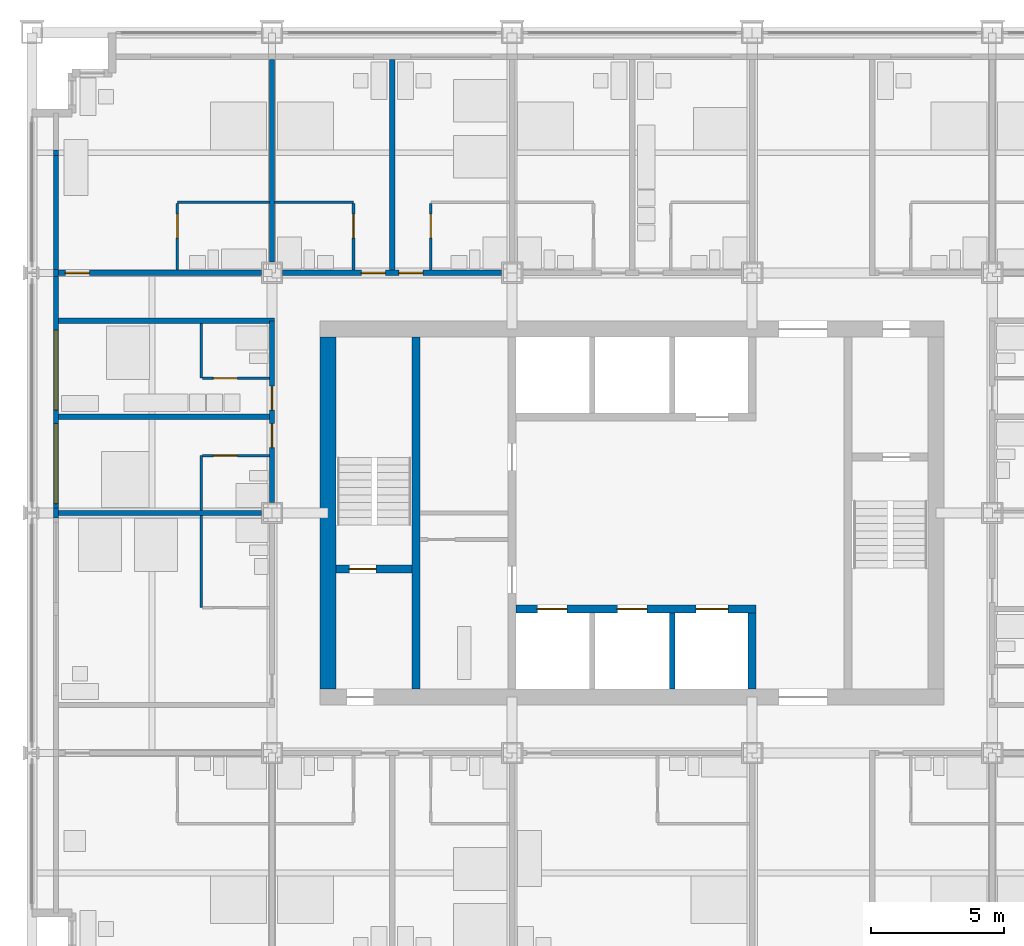
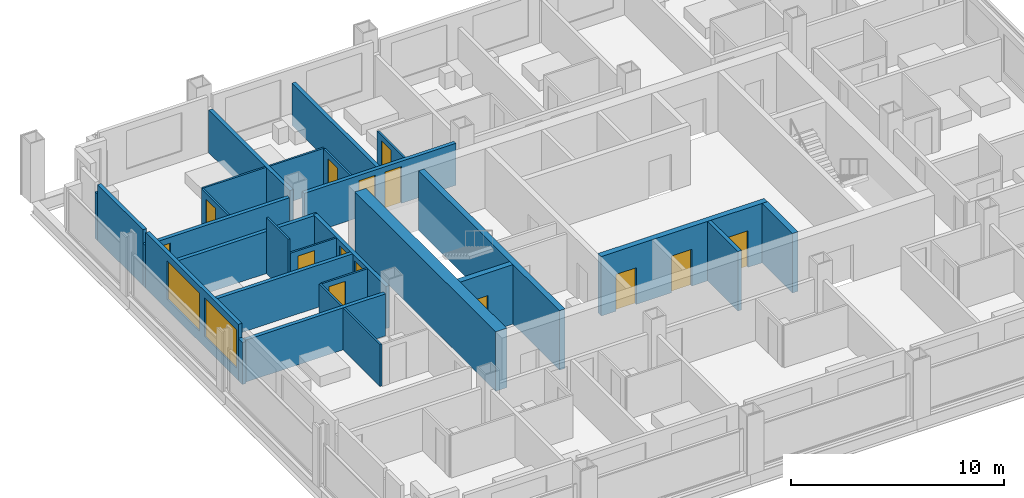
# One storey, part 10 of 17: 29 walls, 14 doors, 2 windows, 16 openings.
"""IFC4 building model written with IfcOpenShell, lengths in metres."""

from ifc_helpers import new_model, si_unit, direction, frame, frame_2d, origin, place, context, subcontext, project, spatial, rectangle, extrude, material, layer, layer_set, type_object, element, fill, save


model = new_model("IFC4")

# Units and contexts
model_context = context("Model", 3, precision=1e-05, world=origin(), true_north=direction((0.0, 1.0)))
body_context = subcontext(model_context, "Body", "Model", "MODEL_VIEW")
ifc_project = project(units=[si_unit("LENGTHUNIT", "METRE"), si_unit("AREAUNIT", "SQUARE_METRE"), si_unit("VOLUMEUNIT", "CUBIC_METRE"), si_unit("PLANEANGLEUNIT", "RADIAN"), si_unit("MASSUNIT", "GRAM", prefix="KILO")], contexts=[model_context])

# Site, building, storey
site_placement = place(None, origin())
site = spatial("IfcSite", under=ifc_project, at=site_placement, CompositionType="ELEMENT")
building_placement = place(site_placement, origin())
building = spatial("IfcBuilding", under=site, at=building_placement, Name="Loomwork Tower", CompositionType="ELEMENT")
storey_placement = place(building_placement, frame((0.0, 0.0, 138.39990234375)))
storey = spatial("IfcBuildingStorey", under=building, at=storey_placement, Name="L37", CompositionType="ELEMENT", Elevation=138.39990234375)

# Wall
ifc_material_1 = material(Name="Concrete 14000 psi (97 MPa)", Category="concrete")
ifc_layer_1 = layer(ifc_material_1, 0.300048828125)
ifc_layer_set_1 = layer_set([ifc_layer_1], Name="Core shear wall 300")
wall_type_1 = type_object("IfcWallType", Name="Core shear wall 300", PredefinedType="SHEAR", material=ifc_layer_set_1)
wall_1_placement = place(storey_placement, frame((14.39990234375, 11.39990234375, 0.0), z_axis=(0.0, 0.0, 1.0), x_axis=(0.0, 1.0, 0.0)))
element("IfcWall", 1, at=wall_1_placement, inside=storey, type_object=wall_type_1, Name="Stair A east wall L37", PredefinedType="SHEAR", context=body_context, shape_type="SweptSolid", body=[
    extrude(rectangle(XDim=13.2001953125, YDim=0.300048828125, at=frame_2d((6.60009765625, 0.0))), origin(), (0.0, 0.0, 1.0), 3.400146484375),
])

# Wall, opening, door
wall_2_placement = place(storey_placement, frame((11.39990234375, 15.89990234375, 0.0), z_axis=(0.0, 0.0, 1.0), x_axis=(1.0, 0.0, 0.0)))
wall_2 = element("IfcWall", 2, at=wall_2_placement, inside=storey, type_object=wall_type_1, Name="Stair A south wall L37", PredefinedType="SHEAR", context=body_context, shape_type="SweptSolid", body=[
    extrude(rectangle(XDim=2.85009765625, YDim=0.300048828125, at=frame_2d((1.425048828125, 0.0))), origin(), (0.0, 0.0, 1.0), 3.400146484375),
])
opening_1_placement = place(wall_2_placement, frame((0.5, 0.0, 0.0)))
opening_1 = element("IfcOpeningElement", 3, at=opening_1_placement, cuts=wall_2, Name="Opening D4", PredefinedType="OPENING", context=body_context, shape_type="SweptSolid", body=[
    extrude(rectangle(XDim=1.0, YDim=2.10009765625, at=frame_2d((0.5, 1.050048828125))), frame((0.0, 0.159912109375, 0.0), z_axis=(0.0, -1.0, 0.0), x_axis=(1.0, 0.0, 0.0)), (0.0, 0.0, 1.0), 0.320068359375),
])
ifc_material_2 = material(Name="Hollow metal door and frame")
door_type_1 = type_object("IfcDoorType", Name="Stair door 1000", OperationType="SINGLE_SWING_RIGHT", PredefinedType="DOOR", material=ifc_material_2)
door_1_placement = place(opening_1_placement, origin())
door_1 = element("IfcDoor", 4, at=door_1_placement, inside=storey, type_object=door_type_1, Name="Stair A door", OperationType="SINGLE_SWING_LEFT", OverallHeight=2.10009765625, OverallWidth=1.0, PredefinedType="DOOR", context=body_context, shape_type="SweptSolid", body=[
    extrude(rectangle(XDim=1.0, YDim=2.10009765625, at=frame_2d((0.5, 1.050048828125))), frame((0.0, 0.02490234375, 0.0), z_axis=(0.0, -1.0, 0.0), x_axis=(1.0, 0.0, 0.0)), (0.0, 0.0, 1.0), 0.050048828125),
])
fill(opening_1, door_1)

# Wall, openings, doors
wall_3_placement = place(storey_placement, frame((18.14990234375, 14.39990234375, 0.0), z_axis=(0.0, 0.0, 1.0), x_axis=(1.0, 0.0, 0.0)))
wall_3 = element("IfcWall", 5, at=wall_3_placement, inside=storey, type_object=wall_type_1, Name="Lift front wall south L37", PredefinedType="SHEAR", context=body_context, shape_type="SweptSolid", body=[
    extrude(rectangle(XDim=9.0, YDim=0.300048828125, at=frame_2d((4.5, 0.0))), origin(), (0.0, 0.0, 1.0), 3.400146484375),
])
opening_2_placement = place(wall_3_placement, frame((0.800048828125, 0.0, 0.0)))
opening_2 = element("IfcOpeningElement", 6, at=opening_2_placement, cuts=wall_3, Name="Opening LD1", PredefinedType="OPENING", context=body_context, shape_type="SweptSolid", body=[
    extrude(rectangle(XDim=1.10009765625, YDim=2.10009765625, at=frame_2d((0.550048828125, 1.050048828125))), frame((0.0, 0.159912109375, 0.0), z_axis=(0.0, -1.0, 0.0), x_axis=(1.0, 0.0, 0.0)), (0.0, 0.0, 1.0), 0.320068359375),
])
opening_3_placement = place(wall_3_placement, frame((3.800048828125, 0.0, 0.0)))
opening_3 = element("IfcOpeningElement", 7, at=opening_3_placement, cuts=wall_3, Name="Opening LD1", PredefinedType="OPENING", context=body_context, shape_type="SweptSolid", body=[
    extrude(rectangle(XDim=1.10009765625, YDim=2.10009765625, at=frame_2d((0.550048828125, 1.050048828125))), frame((0.0, 0.159912109375, 0.0), z_axis=(0.0, -1.0, 0.0), x_axis=(1.0, 0.0, 0.0)), (0.0, 0.0, 1.0), 0.320068359375),
])
opening_4_placement = place(wall_3_placement, frame((6.75, 0.0, 0.0)))
opening_4 = element("IfcOpeningElement", 8, at=opening_4_placement, cuts=wall_3, Name="Opening LD2", PredefinedType="OPENING", context=body_context, shape_type="SweptSolid", body=[
    extrude(rectangle(XDim=1.199951171875, YDim=2.10009765625, at=frame_2d((0.60009765625, 1.050048828125))), frame((0.0, 0.159912109375, 0.0), z_axis=(0.0, -1.0, 0.0), x_axis=(1.0, 0.0, 0.0)), (0.0, 0.0, 1.0), 0.320068359375),
])
ifc_material_3 = material(Name="Hollow metal door and frame")
door_type_2 = type_object("IfcDoorType", Name="Lift landing door 1100", OperationType="SLIDING_TO_LEFT", PredefinedType="DOOR", material=ifc_material_3)
door_2_placement = place(opening_2_placement, origin())
door_2 = element("IfcDoor", 9, at=door_2_placement, inside=storey, type_object=door_type_2, Name="Lift landing door LB1", OperationType="SLIDING_TO_LEFT", OverallHeight=2.10009765625, OverallWidth=1.10009765625, PredefinedType="DOOR", context=body_context, shape_type="SweptSolid", body=[
    extrude(rectangle(XDim=1.10009765625, YDim=2.10009765625, at=frame_2d((0.550048828125, 1.050048828125))), frame((0.0, 0.02490234375, 0.0), z_axis=(0.0, -1.0, 0.0), x_axis=(1.0, 0.0, 0.0)), (0.0, 0.0, 1.0), 0.050048828125),
])
fill(opening_2, door_2)
door_3_placement = place(opening_3_placement, origin())
door_3 = element("IfcDoor", 10, at=door_3_placement, inside=storey, type_object=door_type_2, Name="Lift landing door LB2", OperationType="SLIDING_TO_LEFT", OverallHeight=2.10009765625, OverallWidth=1.10009765625, PredefinedType="DOOR", context=body_context, shape_type="SweptSolid", body=[
    extrude(rectangle(XDim=1.10009765625, YDim=2.10009765625, at=frame_2d((0.550048828125, 1.050048828125))), frame((0.0, 0.02490234375, 0.0), z_axis=(0.0, -1.0, 0.0), x_axis=(1.0, 0.0, 0.0)), (0.0, 0.0, 1.0), 0.050048828125),
])
fill(opening_3, door_3)
ifc_material_4 = material(Name="Hollow metal door and frame")
door_type_3 = type_object("IfcDoorType", Name="Lift landing door 1200", OperationType="SLIDING_TO_LEFT", PredefinedType="DOOR", material=ifc_material_4)
door_4_placement = place(opening_4_placement, origin())
door_4 = element("IfcDoor", 11, at=door_4_placement, inside=storey, type_object=door_type_3, Name="Lift landing door LF1", OperationType="SLIDING_TO_LEFT", OverallHeight=2.10009765625, OverallWidth=1.199951171875, PredefinedType="DOOR", context=body_context, shape_type="SweptSolid", body=[
    extrude(rectangle(XDim=1.199951171875, YDim=2.10009765625, at=frame_2d((0.60009765625, 1.050048828125))), frame((0.0, 0.02490234375, 0.0), z_axis=(0.0, -1.0, 0.0), x_axis=(1.0, 0.0, 0.0)), (0.0, 0.0, 1.0), 0.050048828125),
])
fill(opening_4, door_4)

# Walls
wall_4_placement = place(storey_placement, frame((27.0, 11.39990234375, 0.0), z_axis=(0.0, 0.0, 1.0), x_axis=(0.0, 1.0, 0.0)))
element("IfcWall", 12, at=wall_4_placement, inside=storey, type_object=wall_type_1, Name="Lift shaft end wall south L37", PredefinedType="SHEAR", context=body_context, shape_type="SweptSolid", body=[
    extrude(rectangle(XDim=2.85009765625, YDim=0.300048828125, at=frame_2d((1.425048828125, 0.0))), origin(), (0.0, 0.0, 1.0), 3.400146484375),
])
ifc_material_5 = material(Name="Concrete 14000 psi (97 MPa)", Category="concrete")
ifc_layer_2 = layer(ifc_material_5, 0.60009765625)
ifc_layer_set_2 = layer_set([ifc_layer_2], Name="Core shear wall 600")
wall_type_2 = type_object("IfcWallType", Name="Core shear wall 600", PredefinedType="SHEAR", material=ifc_layer_set_2)
wall_5_placement = place(storey_placement, frame((11.10009765625, 11.39990234375, 0.0), z_axis=(0.0, 0.0, 1.0), x_axis=(0.0, 1.0, 0.0)))
element("IfcWall", 13, at=wall_5_placement, inside=storey, type_object=wall_type_2, Name="Core wall west L37", PredefinedType="SHEAR", context=body_context, shape_type="SweptSolid", body=[
    extrude(rectangle(XDim=13.2001953125, YDim=0.60009765625, at=frame_2d((6.60009765625, 0.0))), origin(), (0.0, 0.0, 1.0), 3.400146484375),
])

# Wall, opening, door
ifc_material_6 = material(Name="Gypsum board on steel studs, one-hour", Category="steel")
ifc_layer_3 = layer(ifc_material_6, 0.199951171875)
ifc_layer_set_3 = layer_set([ifc_layer_3], Name="Corridor wall 200")
wall_type_3 = type_object("IfcWallType", Name="Corridor wall 200", PredefinedType="PARTITIONING", material=ifc_layer_set_3)
wall_6_placement = place(storey_placement, frame((1.0, 27.0, 0.0), z_axis=(0.0, 0.0, 1.0), x_axis=(1.0, 0.0, 0.0)))
wall_6 = element("IfcWall", 14, at=wall_6_placement, inside=storey, type_object=wall_type_3, Name="North corridor wall 1", PredefinedType="PARTITIONING", context=body_context, shape_type="SweptSolid", body=[
    extrude(rectangle(XDim=7.60009765625, YDim=0.199951171875, at=frame_2d((3.800048828125, 0.0))), origin(), (0.0, 0.0, 1.0), 2.43798828125),
])
opening_5_placement = place(wall_6_placement, frame((0.25, 0.0, 0.0)))
opening_5 = element("IfcOpeningElement", 15, at=opening_5_placement, cuts=wall_6, Name="Opening D1", PredefinedType="OPENING", context=body_context, shape_type="SweptSolid", body=[
    extrude(rectangle(XDim=0.89990234375, YDim=2.10009765625, at=frame_2d((0.449951171875, 1.050048828125))), frame((0.0, 0.10986328125, 0.0), z_axis=(0.0, -1.0, 0.0), x_axis=(1.0, 0.0, 0.0)), (0.0, 0.0, 1.0), 0.219970703125),
])
ifc_material_7 = material(Name="Hollow metal door and frame")
door_type_4 = type_object("IfcDoorType", Name="Guest room entry door 900", OperationType="SINGLE_SWING_LEFT", PredefinedType="DOOR", material=ifc_material_7)
door_5_placement = place(opening_5_placement, origin())
door_5 = element("IfcDoor", 16, at=door_5_placement, inside=storey, type_object=door_type_4, Name="Guest room entry door L37 7", OperationType="SINGLE_SWING_LEFT", OverallHeight=2.10009765625, OverallWidth=0.89990234375, PredefinedType="DOOR", context=body_context, shape_type="SweptSolid", body=[
    extrude(rectangle(XDim=0.89990234375, YDim=2.10009765625, at=frame_2d((0.449951171875, 1.050048828125))), frame((0.0, 0.02490234375, 0.0), z_axis=(0.0, -1.0, 0.0), x_axis=(1.0, 0.0, 0.0)), (0.0, 0.0, 1.0), 0.050048828125),
])
fill(opening_5, door_5)

# Wall, openings, doors
wall_7_placement = place(storey_placement, frame((9.39990234375, 27.0, 0.0), z_axis=(0.0, 0.0, 1.0), x_axis=(1.0, 0.0, 0.0)))
wall_7 = element("IfcWall", 17, at=wall_7_placement, inside=storey, type_object=wall_type_3, Name="North corridor wall 2", PredefinedType="PARTITIONING", context=body_context, shape_type="SweptSolid", body=[
    extrude(rectangle(XDim=8.2001953125, YDim=0.199951171875, at=frame_2d((4.10009765625, 0.0))), origin(), (0.0, 0.0, 1.0), 2.405029296875),
])
opening_6_placement = place(wall_7_placement, frame((2.949951171875, 0.0, 0.0)))
opening_6 = element("IfcOpeningElement", 18, at=opening_6_placement, cuts=wall_7, Name="Opening D1", PredefinedType="OPENING", context=body_context, shape_type="SweptSolid", body=[
    extrude(rectangle(XDim=0.89990234375, YDim=2.10009765625, at=frame_2d((0.449951171875, 1.050048828125))), frame((0.0, 0.10986328125, 0.0), z_axis=(0.0, -1.0, 0.0), x_axis=(1.0, 0.0, 0.0)), (0.0, 0.0, 1.0), 0.219970703125),
])
opening_7_placement = place(wall_7_placement, frame((4.35009765625, 0.0, 0.0)))
opening_7 = element("IfcOpeningElement", 19, at=opening_7_placement, cuts=wall_7, Name="Opening D1", PredefinedType="OPENING", context=body_context, shape_type="SweptSolid", body=[
    extrude(rectangle(XDim=0.89990234375, YDim=2.10009765625, at=frame_2d((0.449951171875, 1.050048828125))), frame((0.0, 0.10986328125, 0.0), z_axis=(0.0, -1.0, 0.0), x_axis=(1.0, 0.0, 0.0)), (0.0, 0.0, 1.0), 0.219970703125),
])
door_6_placement = place(opening_6_placement, origin())
door_6 = element("IfcDoor", 20, at=door_6_placement, inside=storey, type_object=door_type_4, Name="Guest room entry door L37 8", OperationType="SINGLE_SWING_RIGHT", OverallHeight=2.10009765625, OverallWidth=0.89990234375, PredefinedType="DOOR", context=body_context, shape_type="SweptSolid", body=[
    extrude(rectangle(XDim=0.89990234375, YDim=2.10009765625, at=frame_2d((0.449951171875, 1.050048828125))), frame((0.0, 0.02490234375, 0.0), z_axis=(0.0, -1.0, 0.0), x_axis=(1.0, 0.0, 0.0)), (0.0, 0.0, 1.0), 0.050048828125),
])
fill(opening_6, door_6)
door_7_placement = place(opening_7_placement, origin())
door_7 = element("IfcDoor", 21, at=door_7_placement, inside=storey, type_object=door_type_4, Name="Guest room entry door L37 9", OperationType="SINGLE_SWING_LEFT", OverallHeight=2.10009765625, OverallWidth=0.89990234375, PredefinedType="DOOR", context=body_context, shape_type="SweptSolid", body=[
    extrude(rectangle(XDim=0.89990234375, YDim=2.10009765625, at=frame_2d((0.449951171875, 1.050048828125))), frame((0.0, 0.02490234375, 0.0), z_axis=(0.0, -1.0, 0.0), x_axis=(1.0, 0.0, 0.0)), (0.0, 0.0, 1.0), 0.050048828125),
])
fill(opening_7, door_7)

wall_8_placement = place(storey_placement, frame((9.0, 18.39990234375, 0.0), z_axis=(0.0, 0.0, 1.0), x_axis=(0.0, 1.0, 0.0)))
wall_8 = element("IfcWall", 22, at=wall_8_placement, inside=storey, type_object=wall_type_3, Name="West corridor wall 2", PredefinedType="PARTITIONING", context=body_context, shape_type="SweptSolid", body=[
    extrude(rectangle(XDim=6.800048828125, YDim=0.199951171875, at=frame_2d((3.39990234375, 0.0))), origin(), (0.0, 0.0, 1.0), 2.405029296875),
])
opening_8_placement = place(wall_8_placement, frame((2.050048828125, 0.0, 0.0)))
opening_8 = element("IfcOpeningElement", 23, at=opening_8_placement, cuts=wall_8, Name="Opening D1", PredefinedType="OPENING", context=body_context, shape_type="SweptSolid", body=[
    extrude(rectangle(XDim=0.89990234375, YDim=2.10009765625, at=frame_2d((0.449951171875, 1.050048828125))), frame((0.0, 0.10986328125, 0.0), z_axis=(0.0, -1.0, 0.0), x_axis=(1.0, 0.0, 0.0)), (0.0, 0.0, 1.0), 0.219970703125),
])
opening_9_placement = place(wall_8_placement, frame((3.449951171875, 0.0, 0.0)))
opening_9 = element("IfcOpeningElement", 24, at=opening_9_placement, cuts=wall_8, Name="Opening D1", PredefinedType="OPENING", context=body_context, shape_type="SweptSolid", body=[
    extrude(rectangle(XDim=0.89990234375, YDim=2.10009765625, at=frame_2d((0.449951171875, 1.050048828125))), frame((0.0, 0.10986328125, 0.0), z_axis=(0.0, -1.0, 0.0), x_axis=(1.0, 0.0, 0.0)), (0.0, 0.0, 1.0), 0.219970703125),
])
door_8_placement = place(opening_8_placement, origin())
door_8 = element("IfcDoor", 25, at=door_8_placement, inside=storey, type_object=door_type_4, Name="Guest room entry door L37 15", OperationType="SINGLE_SWING_RIGHT", OverallHeight=2.10009765625, OverallWidth=0.89990234375, PredefinedType="DOOR", context=body_context, shape_type="SweptSolid", body=[
    extrude(rectangle(XDim=0.89990234375, YDim=2.10009765625, at=frame_2d((0.449951171875, 1.050048828125))), frame((0.0, 0.02490234375, 0.0), z_axis=(0.0, -1.0, 0.0), x_axis=(1.0, 0.0, 0.0)), (0.0, 0.0, 1.0), 0.050048828125),
])
fill(opening_8, door_8)
door_9_placement = place(opening_9_placement, origin())
door_9 = element("IfcDoor", 26, at=door_9_placement, inside=storey, type_object=door_type_4, Name="Guest room entry door L37 16", OperationType="SINGLE_SWING_LEFT", OverallHeight=2.10009765625, OverallWidth=0.89990234375, PredefinedType="DOOR", context=body_context, shape_type="SweptSolid", body=[
    extrude(rectangle(XDim=0.89990234375, YDim=2.10009765625, at=frame_2d((0.449951171875, 1.050048828125))), frame((0.0, 0.02490234375, 0.0), z_axis=(0.0, -1.0, 0.0), x_axis=(1.0, 0.0, 0.0)), (0.0, 0.0, 1.0), 0.050048828125),
])
fill(opening_9, door_9)

# Walls
wall_9_placement = place(storey_placement, frame((1.0, 25.199951171875, 0.0), z_axis=(0.0, 0.0, 1.0), x_axis=(1.0, 0.0, 0.0)))
element("IfcWall", 27, at=wall_9_placement, inside=storey, type_object=wall_type_3, Name="West band end wall N", PredefinedType="PARTITIONING", context=body_context, shape_type="SweptSolid", body=[
    extrude(rectangle(XDim=8.10009765625, YDim=0.199951171875, at=frame_2d((4.050048828125, 0.0))), origin(), (0.0, 0.0, 1.0), 2.404052734375),
])
ifc_material_8 = material(Name="Cement board on steel studs", Category="steel")
ifc_layer_4 = layer(ifc_material_8, 0.10009765625)
ifc_layer_set_4 = layer_set([ifc_layer_4], Name="En-suite partition 100")
wall_type_4 = type_object("IfcWallType", Name="En-suite partition 100", PredefinedType="PARTITIONING", material=ifc_layer_set_4)
wall_10_placement = place(storey_placement, frame((5.449951171875, 29.64990234375, 0.0), z_axis=(0.0, 0.0, 1.0), x_axis=(1.0, 0.0, 0.0)))
element("IfcWall", 28, at=wall_10_placement, inside=storey, type_object=wall_type_4, Name="En-suite wall L37 room 7", PredefinedType="PARTITIONING", context=body_context, shape_type="SweptSolid", body=[
    extrude(rectangle(XDim=3.449951171875, YDim=0.10009765625, at=frame_2d((1.72509765625, 0.0))), origin(), (0.0, 0.0, 1.0), 2.43798828125),
])

# Wall, opening, door
wall_11_placement = place(storey_placement, frame((5.449951171875, 27.10009765625, 0.0), z_axis=(0.0, 0.0, 1.0), x_axis=(0.0, 1.0, 0.0)))
wall_11 = element("IfcWall", 29, at=wall_11_placement, inside=storey, type_object=wall_type_4, Name="En-suite side wall L37 room 7", PredefinedType="PARTITIONING", context=body_context, shape_type="SweptSolid", body=[
    extrude(rectangle(XDim=2.5, YDim=0.10009765625, at=frame_2d((1.25, 0.0))), origin(), (0.0, 0.0, 1.0), 2.43798828125),
])
opening_10_placement = place(wall_11_placement, frame((1.199951171875, 0.0, 0.0)))
opening_10 = element("IfcOpeningElement", 30, at=opening_10_placement, cuts=wall_11, Name="Opening D2", PredefinedType="OPENING", context=body_context, shape_type="SweptSolid", body=[
    extrude(rectangle(XDim=0.89990234375, YDim=2.10009765625, at=frame_2d((0.449951171875, 1.050048828125))), frame((0.0, 0.06005859375, 0.0), z_axis=(0.0, -1.0, 0.0), x_axis=(1.0, 0.0, 0.0)), (0.0, 0.0, 1.0), 0.1201171875),
])
ifc_material_9 = material(Name="Hollow metal door and frame")
door_type_5 = type_object("IfcDoorType", Name="En-suite door 900", OperationType="SINGLE_SWING_LEFT", PredefinedType="DOOR", material=ifc_material_9)
door_10_placement = place(opening_10_placement, frame((0.89990234375, 0.0, 0.0), z_axis=(0.0, 0.0, 1.0), x_axis=(-1.0, 0.0, 0.0)))
door_10 = element("IfcDoor", 31, at=door_10_placement, inside=storey, type_object=door_type_5, Name="En-suite door room 7", OperationType="SINGLE_SWING_LEFT", OverallHeight=2.10009765625, OverallWidth=0.89990234375, PredefinedType="DOOR", context=body_context, shape_type="SweptSolid", body=[
    extrude(rectangle(XDim=0.89990234375, YDim=2.10009765625, at=frame_2d((0.449951171875, 1.050048828125))), frame((0.0, 0.02490234375, 0.0), z_axis=(0.0, -1.0, 0.0), x_axis=(1.0, 0.0, 0.0)), (0.0, 0.0, 1.0), 0.050048828125),
])
fill(opening_10, door_10)

# Wall
wall_12_placement = place(storey_placement, frame((9.10009765625, 29.64990234375, 0.0), z_axis=(0.0, 0.0, 1.0), x_axis=(1.0, 0.0, 0.0)))
element("IfcWall", 32, at=wall_12_placement, inside=storey, type_object=wall_type_4, Name="En-suite wall L37 room 8", PredefinedType="PARTITIONING", context=body_context, shape_type="SweptSolid", body=[
    extrude(rectangle(XDim=2.949951171875, YDim=0.10009765625, at=frame_2d((1.47509765625, 0.0))), origin(), (0.0, 0.0, 1.0), 2.43798828125),
])

# Wall, opening, door
wall_13_placement = place(storey_placement, frame((12.050048828125, 27.10009765625, 0.0), z_axis=(0.0, 0.0, 1.0), x_axis=(0.0, 1.0, 0.0)))
wall_13 = element("IfcWall", 33, at=wall_13_placement, inside=storey, type_object=wall_type_4, Name="En-suite side wall L37 room 8", PredefinedType="PARTITIONING", context=body_context, shape_type="SweptSolid", body=[
    extrude(rectangle(XDim=2.5, YDim=0.10009765625, at=frame_2d((1.25, 0.0))), origin(), (0.0, 0.0, 1.0), 2.404052734375),
])
opening_11_placement = place(wall_13_placement, frame((1.199951171875, 0.0, 0.0)))
opening_11 = element("IfcOpeningElement", 34, at=opening_11_placement, cuts=wall_13, Name="Opening D2", PredefinedType="OPENING", context=body_context, shape_type="SweptSolid", body=[
    extrude(rectangle(XDim=0.89990234375, YDim=2.10009765625, at=frame_2d((0.449951171875, 1.050048828125))), frame((0.0, 0.06005859375, 0.0), z_axis=(0.0, -1.0, 0.0), x_axis=(1.0, 0.0, 0.0)), (0.0, 0.0, 1.0), 0.1201171875),
])
door_11_placement = place(opening_11_placement, origin())
door_11 = element("IfcDoor", 35, at=door_11_placement, inside=storey, type_object=door_type_5, Name="En-suite door room 8", OperationType="SINGLE_SWING_RIGHT", OverallHeight=2.10009765625, OverallWidth=0.89990234375, PredefinedType="DOOR", context=body_context, shape_type="SweptSolid", body=[
    extrude(rectangle(XDim=0.89990234375, YDim=2.10009765625, at=frame_2d((0.449951171875, 1.050048828125))), frame((0.0, 0.02490234375, 0.0), z_axis=(0.0, -1.0, 0.0), x_axis=(1.0, 0.0, 0.0)), (0.0, 0.0, 1.0), 0.050048828125),
])
fill(opening_11, door_11)

wall_14_placement = place(storey_placement, frame((14.949951171875, 27.10009765625, 0.0), z_axis=(0.0, 0.0, 1.0), x_axis=(0.0, 1.0, 0.0)))
wall_14 = element("IfcWall", 36, at=wall_14_placement, inside=storey, type_object=wall_type_4, Name="En-suite side wall L37 room 9", PredefinedType="PARTITIONING", context=body_context, shape_type="SweptSolid", body=[
    extrude(rectangle(XDim=2.5, YDim=0.10009765625, at=frame_2d((1.25, 0.0))), origin(), (0.0, 0.0, 1.0), 2.404052734375),
])
opening_12_placement = place(wall_14_placement, frame((1.199951171875, 0.0, 0.0)))
opening_12 = element("IfcOpeningElement", 37, at=opening_12_placement, cuts=wall_14, Name="Opening D2", PredefinedType="OPENING", context=body_context, shape_type="SweptSolid", body=[
    extrude(rectangle(XDim=0.89990234375, YDim=2.10009765625, at=frame_2d((0.449951171875, 1.050048828125))), frame((0.0, 0.06005859375, 0.0), z_axis=(0.0, -1.0, 0.0), x_axis=(1.0, 0.0, 0.0)), (0.0, 0.0, 1.0), 0.1201171875),
])
door_12_placement = place(opening_12_placement, frame((0.89990234375, 0.0, 0.0), z_axis=(0.0, 0.0, 1.0), x_axis=(-1.0, 0.0, 0.0)))
door_12 = element("IfcDoor", 38, at=door_12_placement, inside=storey, type_object=door_type_5, Name="En-suite door room 9", OperationType="SINGLE_SWING_LEFT", OverallHeight=2.10009765625, OverallWidth=0.89990234375, PredefinedType="DOOR", context=body_context, shape_type="SweptSolid", body=[
    extrude(rectangle(XDim=0.89990234375, YDim=2.10009765625, at=frame_2d((0.449951171875, 1.050048828125))), frame((0.0, 0.02490234375, 0.0), z_axis=(0.0, -1.0, 0.0), x_axis=(1.0, 0.0, 0.0)), (0.0, 0.0, 1.0), 0.050048828125),
])
fill(opening_12, door_12)

# Walls
wall_15_placement = place(storey_placement, frame((6.35009765625, 14.449951171875, 0.0), z_axis=(0.0, 0.0, 1.0), x_axis=(0.0, 1.0, 0.0)))
element("IfcWall", 39, at=wall_15_placement, inside=storey, type_object=wall_type_4, Name="En-suite wall L37 room 14", PredefinedType="PARTITIONING", context=body_context, shape_type="SweptSolid", body=[
    extrude(rectangle(XDim=3.449951171875, YDim=0.10009765625, at=frame_2d((1.72509765625, 0.0))), origin(), (0.0, 0.0, 1.0), 2.404052734375),
])
wall_16_placement = place(storey_placement, frame((6.35009765625, 18.10009765625, 0.0), z_axis=(0.0, 0.0, 1.0), x_axis=(0.0, 1.0, 0.0)))
element("IfcWall", 40, at=wall_16_placement, inside=storey, type_object=wall_type_4, Name="En-suite wall L37 room 15", PredefinedType="PARTITIONING", context=body_context, shape_type="SweptSolid", body=[
    extrude(rectangle(XDim=2.0498046875, YDim=0.10009765625, at=frame_2d((1.02490234375, 0.0))), origin(), (0.0, 0.0, 1.0), 2.404052734375),
])

# Wall, opening, door
wall_17_placement = place(storey_placement, frame((8.89990234375, 20.14990234375, 0.0), z_axis=(0.0, 0.0, 1.0), x_axis=(-1.0, 0.0, 0.0)))
wall_17 = element("IfcWall", 41, at=wall_17_placement, inside=storey, type_object=wall_type_4, Name="En-suite side wall L37 room 15", PredefinedType="PARTITIONING", context=body_context, shape_type="SweptSolid", body=[
    extrude(rectangle(XDim=2.5, YDim=0.10009765625, at=frame_2d((1.25, 0.0))), origin(), (0.0, 0.0, 1.0), 2.404052734375),
])
opening_13_placement = place(wall_17_placement, frame((1.199951171875, 0.0, 0.0)))
opening_13 = element("IfcOpeningElement", 42, at=opening_13_placement, cuts=wall_17, Name="Opening D2", PredefinedType="OPENING", context=body_context, shape_type="SweptSolid", body=[
    extrude(rectangle(XDim=0.89990234375, YDim=2.10009765625, at=frame_2d((0.449951171875, 1.050048828125))), frame((0.0, 0.06005859375, 0.0), z_axis=(0.0, -1.0, 0.0), x_axis=(1.0, 0.0, 0.0)), (0.0, 0.0, 1.0), 0.1201171875),
])
door_13_placement = place(opening_13_placement, origin())
door_13 = element("IfcDoor", 43, at=door_13_placement, inside=storey, type_object=door_type_5, Name="En-suite door room 15", OperationType="SINGLE_SWING_RIGHT", OverallHeight=2.10009765625, OverallWidth=0.89990234375, PredefinedType="DOOR", context=body_context, shape_type="SweptSolid", body=[
    extrude(rectangle(XDim=0.89990234375, YDim=2.10009765625, at=frame_2d((0.449951171875, 1.050048828125))), frame((0.0, 0.02490234375, 0.0), z_axis=(0.0, -1.0, 0.0), x_axis=(1.0, 0.0, 0.0)), (0.0, 0.0, 1.0), 0.050048828125),
])
fill(opening_13, door_13)

# Wall
wall_18_placement = place(storey_placement, frame((6.35009765625, 23.050048828125, 0.0), z_axis=(0.0, 0.0, 1.0), x_axis=(0.0, 1.0, 0.0)))
element("IfcWall", 44, at=wall_18_placement, inside=storey, type_object=wall_type_4, Name="En-suite wall L37 room 16", PredefinedType="PARTITIONING", context=body_context, shape_type="SweptSolid", body=[
    extrude(rectangle(XDim=2.050048828125, YDim=0.10009765625, at=frame_2d((1.02490234375, 0.0))), origin(), (0.0, 0.0, 1.0), 3.2001953125),
])

# Wall, opening, door
wall_19_placement = place(storey_placement, frame((8.89990234375, 23.050048828125, 0.0), z_axis=(0.0, 0.0, 1.0), x_axis=(-1.0, 0.0, 0.0)))
wall_19 = element("IfcWall", 45, at=wall_19_placement, inside=storey, type_object=wall_type_4, Name="En-suite side wall L37 room 16", PredefinedType="PARTITIONING", context=body_context, shape_type="SweptSolid", body=[
    extrude(rectangle(XDim=2.5, YDim=0.10009765625, at=frame_2d((1.25, 0.0))), origin(), (0.0, 0.0, 1.0), 2.404052734375),
])
opening_14_placement = place(wall_19_placement, frame((1.199951171875, 0.0, 0.0)))
opening_14 = element("IfcOpeningElement", 46, at=opening_14_placement, cuts=wall_19, Name="Opening D2", PredefinedType="OPENING", context=body_context, shape_type="SweptSolid", body=[
    extrude(rectangle(XDim=0.89990234375, YDim=2.10009765625, at=frame_2d((0.449951171875, 1.050048828125))), frame((0.0, 0.06005859375, 0.0), z_axis=(0.0, -1.0, 0.0), x_axis=(1.0, 0.0, 0.0)), (0.0, 0.0, 1.0), 0.1201171875),
])
door_14_placement = place(opening_14_placement, frame((0.89990234375, 0.0, 0.0), z_axis=(0.0, 0.0, 1.0), x_axis=(-1.0, 0.0, 0.0)))
door_14 = element("IfcDoor", 47, at=door_14_placement, inside=storey, type_object=door_type_5, Name="En-suite door room 16", OperationType="SINGLE_SWING_LEFT", OverallHeight=2.10009765625, OverallWidth=0.89990234375, PredefinedType="DOOR", context=body_context, shape_type="SweptSolid", body=[
    extrude(rectangle(XDim=0.89990234375, YDim=2.10009765625, at=frame_2d((0.449951171875, 1.050048828125))), frame((0.0, 0.02490234375, 0.0), z_axis=(0.0, -1.0, 0.0), x_axis=(1.0, 0.0, 0.0)), (0.0, 0.0, 1.0), 0.050048828125),
])
fill(opening_14, door_14)

# Walls
ifc_material_10 = material(Name="Gypsum board on steel studs, acoustic", Category="steel")
ifc_layer_5 = layer(ifc_material_10, 0.199951171875)
ifc_layer_set_5 = layer_set([ifc_layer_5], Name="Guest room party wall 200")
wall_type_5 = type_object("IfcWallType", Name="Guest room party wall 200", PredefinedType="PARTITIONING", material=ifc_layer_set_5)
wall_20_placement = place(storey_placement, frame((9.0, 27.39990234375, 0.0), z_axis=(0.0, 0.0, 1.0), x_axis=(0.0, 1.0, 0.0)))
element("IfcWall", 48, at=wall_20_placement, inside=storey, type_object=wall_type_5, Name="Guest room party wall N 9", PredefinedType="PARTITIONING", context=body_context, shape_type="SweptSolid", body=[
    extrude(rectangle(XDim=7.60009765625, YDim=0.199951171875, at=frame_2d((3.800048828125, 0.0))), origin(), (0.0, 0.0, 1.0), 2.43798828125),
])
wall_21_placement = place(storey_placement, frame((13.5, 27.10009765625, 0.0), z_axis=(0.0, 0.0, 1.0), x_axis=(0.0, 1.0, 0.0)))
element("IfcWall", 49, at=wall_21_placement, inside=storey, type_object=wall_type_5, Name="Guest room party wall N 13.5", PredefinedType="PARTITIONING", context=body_context, shape_type="SweptSolid", body=[
    extrude(rectangle(XDim=7.89990234375, YDim=0.199951171875, at=frame_2d((3.949951171875, 0.0))), origin(), (0.0, 0.0, 1.0), 2.404052734375),
])
wall_22_placement = place(storey_placement, frame((8.60009765625, 18.0, 0.0), z_axis=(0.0, 0.0, 1.0), x_axis=(-1.0, 0.0, 0.0)))
element("IfcWall", 50, at=wall_22_placement, inside=storey, type_object=wall_type_5, Name="Guest room party wall W 18", PredefinedType="PARTITIONING", context=body_context, shape_type="SweptSolid", body=[
    extrude(rectangle(XDim=7.60009765625, YDim=0.199951171875, at=frame_2d((3.800048828125, 0.0))), origin(), (0.0, 0.0, 1.0), 2.405029296875),
])
wall_23_placement = place(storey_placement, frame((8.89990234375, 21.60009765625, 0.0), z_axis=(0.0, 0.0, 1.0), x_axis=(-1.0, 0.0, 0.0)))
element("IfcWall", 51, at=wall_23_placement, inside=storey, type_object=wall_type_5, Name="Guest room party wall W 21.6", PredefinedType="PARTITIONING", context=body_context, shape_type="SweptSolid", body=[
    extrude(rectangle(XDim=7.89990234375, YDim=0.199951171875, at=frame_2d((3.949951171875, 0.0))), origin(), (0.0, 0.0, 1.0), 2.404052734375),
])
ifc_material_11 = material(Name="Insulated steel stud wall with gypsum lining", Category="steel")
ifc_layer_6 = layer(ifc_material_11, 0.199951171875)
ifc_layer_set_6 = layer_set([ifc_layer_6], Name="Inner skin wall 200")
wall_type_6 = type_object("IfcWallType", Name="Inner skin wall 200", PredefinedType="SOLIDWALL", material=ifc_layer_set_6)
wall_24_placement = place(storey_placement, frame((0.89990234375, 17.80615234375, 0.0), z_axis=(0.0, 0.0, 1.0), x_axis=(0.0, 1.0, 0.0)))
element("IfcWall", 52, at=wall_24_placement, inside=storey, type_object=wall_type_6, Name="Inner skin wall W bay 6", PredefinedType="SOLIDWALL", context=body_context, shape_type="SweptSolid", body=[
    extrude(rectangle(XDim=0.3876953125, YDim=0.199951171875, at=frame_2d((0.19384765625, 0.0))), origin(), (0.0, 0.0, 1.0), 2.404052734375),
])

# Wall, openings, windows
wall_25_placement = place(storey_placement, frame((0.89990234375, 18.19384765625, 0.0), z_axis=(0.0, 0.0, 1.0), x_axis=(0.0, 1.0, 0.0)))
wall_25 = element("IfcWall", 53, at=wall_25_placement, inside=storey, type_object=wall_type_6, Name="Inner skin wall W bay 7", PredefinedType="SOLIDWALL", context=body_context, shape_type="SweptSolid", body=[
    extrude(rectangle(XDim=8.6708984375, YDim=0.199951171875, at=frame_2d((4.33544921875, 0.0))), origin(), (0.0, 0.0, 1.0), 3.2001953125),
])
opening_15_placement = place(wall_25_placement, frame((0.15625, 0.0, 0.60009765625)))
opening_15 = element("IfcOpeningElement", 54, at=opening_15_placement, cuts=wall_25, Name="Opening CH1", PredefinedType="OPENING", context=body_context, shape_type="SweptSolid", body=[
    extrude(rectangle(XDim=3.0, YDim=2.199951171875, at=frame_2d((1.5, 1.10009765625))), frame((0.0, 0.10986328125, 0.0), z_axis=(0.0, -1.0, 0.0), x_axis=(1.0, 0.0, 0.0)), (0.0, 0.0, 1.0), 0.219970703125),
])
opening_16_placement = place(wall_25_placement, frame((3.65625, 0.0, 0.60009765625)))
opening_16 = element("IfcOpeningElement", 55, at=opening_16_placement, cuts=wall_25, Name="Opening CH1", PredefinedType="OPENING", context=body_context, shape_type="SweptSolid", body=[
    extrude(rectangle(XDim=3.0, YDim=2.199951171875, at=frame_2d((1.5, 1.10009765625))), frame((0.0, 0.10986328125, 0.0), z_axis=(0.0, -1.0, 0.0), x_axis=(1.0, 0.0, 0.0)), (0.0, 0.0, 1.0), 0.219970703125),
])
ifc_material_12 = material(Name="Aluminium frame with clear insulated glass", Category="aluminium")
window_type = type_object("IfcWindowType", Name="Chicago window 3000", PartitioningType="TRIPLE_PANEL_VERTICAL", PredefinedType="WINDOW", material=ifc_material_12)
window_1_placement = place(opening_15_placement, origin())
window_1 = element("IfcWindow", 56, at=window_1_placement, inside=storey, type_object=window_type, Name="Chicago window L37 bay 12", OverallHeight=2.199951171875, OverallWidth=3.0, PartitioningType="TRIPLE_PANEL_VERTICAL", PredefinedType="WINDOW", context=body_context, shape_type="SweptSolid", body=[
    extrude(rectangle(XDim=3.0, YDim=2.199951171875, at=frame_2d((1.5, 1.10009765625))), frame((0.0, 0.030029296875, 0.0), z_axis=(0.0, -1.0, 0.0), x_axis=(1.0, 0.0, 0.0)), (0.0, 0.0, 1.0), 0.06005859375),
])
fill(opening_15, window_1)
window_2_placement = place(opening_16_placement, origin())
window_2 = element("IfcWindow", 57, at=window_2_placement, inside=storey, type_object=window_type, Name="Chicago window L37 bay 12", OverallHeight=2.199951171875, OverallWidth=3.0, PartitioningType="TRIPLE_PANEL_VERTICAL", PredefinedType="WINDOW", context=body_context, shape_type="SweptSolid", body=[
    extrude(rectangle(XDim=3.0, YDim=2.199951171875, at=frame_2d((1.5, 1.10009765625))), frame((0.0, 0.030029296875, 0.0), z_axis=(0.0, -1.0, 0.0), x_axis=(1.0, 0.0, 0.0)), (0.0, 0.0, 1.0), 0.06005859375),
])
fill(opening_16, window_2)

# Walls
wall_26_placement = place(storey_placement, frame((0.89990234375, 26.86474609375, 0.0), z_axis=(0.0, 0.0, 1.0), x_axis=(0.0, 1.0, 0.0)))
element("IfcWall", 58, at=wall_26_placement, inside=storey, type_object=wall_type_6, Name="Inner skin wall W bay 8", PredefinedType="SOLIDWALL", context=body_context, shape_type="SweptSolid", body=[
    extrude(rectangle(XDim=0.2705078125, YDim=0.199951171875, at=frame_2d((0.13525390625, 0.0))), origin(), (0.0, 0.0, 1.0), 2.43798828125),
])
wall_27_placement = place(storey_placement, frame((0.89990234375, 27.13525390625, 0.0), z_axis=(0.0, 0.0, 1.0), x_axis=(0.0, 1.0, 0.0)))
element("IfcWall", 59, at=wall_27_placement, inside=storey, type_object=wall_type_6, Name="Inner skin wall W bay 9", PredefinedType="SOLIDWALL", context=body_context, shape_type="SweptSolid", body=[
    extrude(rectangle(XDim=4.25732421875, YDim=0.199951171875, at=frame_2d((2.128662109375, 0.0))), origin(), (0.0, 0.0, 1.0), 3.2001953125),
])
wall_28_placement = place(storey_placement, frame((0.89990234375, 31.392578125, 0.0), z_axis=(0.0, 0.0, 1.0), x_axis=(0.0, 1.0, 0.0)))
element("IfcWall", 60, at=wall_28_placement, inside=storey, type_object=wall_type_6, Name="Inner skin wall W bay 10", PredefinedType="SOLIDWALL", context=body_context, shape_type="SweptSolid", body=[
    extrude(rectangle(XDim=0.21484375, YDim=0.199951171875, at=frame_2d((0.107421875, 0.0))), origin(), (0.0, 0.0, 1.0), 2.6611328125),
])
ifc_material_13 = material(Name="Concrete 14000 psi (97 MPa)", Category="concrete")
ifc_layer_7 = layer(ifc_material_13, 0.199951171875)
ifc_layer_set_7 = layer_set([ifc_layer_7], Name="Lift shaft wall 200")
wall_type_7 = type_object("IfcWallType", Name="Lift shaft wall 200", PredefinedType="SHEAR", material=ifc_layer_set_7)
wall_29_placement = place(storey_placement, frame((24.0, 11.39990234375, 0.0), z_axis=(0.0, 0.0, 1.0), x_axis=(0.0, 1.0, 0.0)))
element("IfcWall", 61, at=wall_29_placement, inside=storey, type_object=wall_type_7, Name="Lift shaft separation wall south 2 L37", PredefinedType="SHEAR", context=body_context, shape_type="SweptSolid", body=[
    extrude(rectangle(XDim=2.85009765625, YDim=0.199951171875, at=frame_2d((1.425048828125, 0.0))), origin(), (0.0, 0.0, 1.0), 3.400146484375),
])

save(model, "model.ifc")
